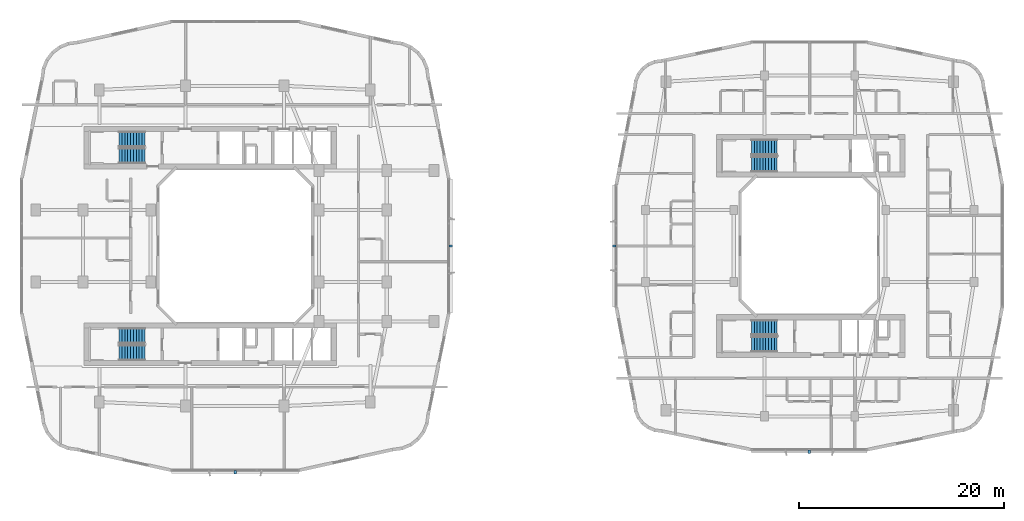
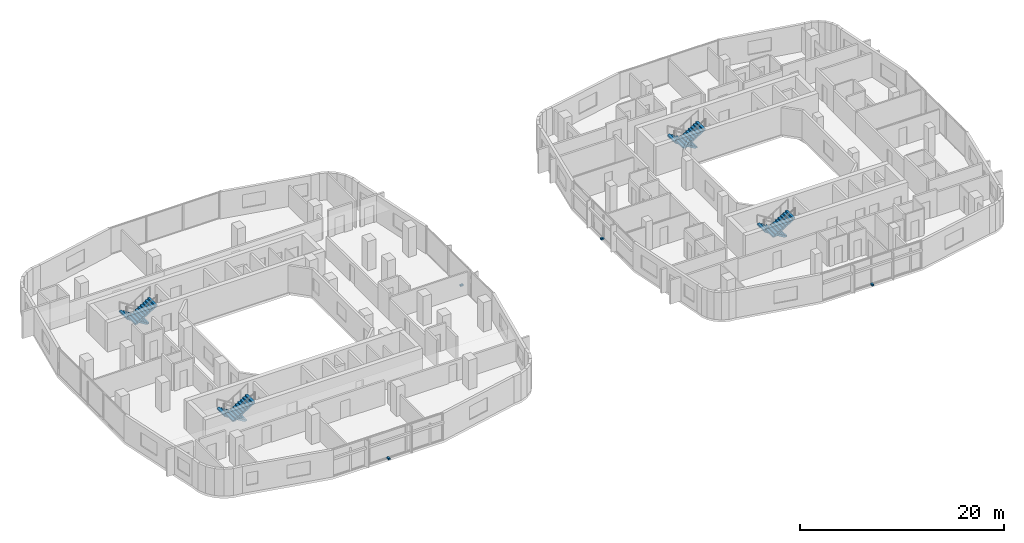
# One storey, part 21 of 26: 8 stair flights, 4 discrete accessories, 4 elements without a shape of their own.
"""IFC4 building model written with IfcOpenShell, lengths in metres."""

from ifc_helpers import new_model, si_unit, derived_unit, direction, frame, origin, origin_2d, place, context, subcontext, project, spatial, polyline, rectangle, outline, extrude, material, type_object, element, aggregate, save


model = new_model("IFC4")

# Units and contexts
model_context = context("Model", 3, precision=1e-05, world=origin(), true_north=direction((0.0, 1.0)))
body_context = subcontext(model_context, "Body", "Model", "MODEL_VIEW")
ifc_project = project(units=[si_unit("LENGTHUNIT", "METRE"), si_unit("AREAUNIT", "SQUARE_METRE"), si_unit("VOLUMEUNIT", "CUBIC_METRE"), si_unit("PLANEANGLEUNIT", "RADIAN"), si_unit("MASSUNIT", "GRAM", prefix="KILO"), derived_unit("THERMALTRANSMITTANCEUNIT", [(si_unit("POWERUNIT", "WATT"), 1), (si_unit("LENGTHUNIT", "METRE"), -2), (si_unit("THERMODYNAMICTEMPERATUREUNIT", "KELVIN"), -1)])], contexts=[model_context])

# Site, building, storey
site_placement = place(None, origin())
site = spatial("IfcSite", under=ifc_project, at=site_placement, CompositionType="ELEMENT")
building_placement = place(site_placement, origin())
building = spatial("IfcBuilding", under=site, at=building_placement, Name="Kivonza Crest Hotel", CompositionType="ELEMENT")
storey_placement = place(building_placement, frame((0.0, 0.0, 66.0)))
storey = spatial("IfcBuildingStorey", under=building, at=storey_placement, Name="L17", CompositionType="ELEMENT", Elevation=66.0)

# Stair, stair flights
ifc_material_1 = material(Name="Concrete C40/50", Category="concrete")
stair_type = type_object("IfcStairType", Name="ST-DL-20R", PredefinedType="HALF_TURN_STAIR", material=ifc_material_1)
stair_1_placement = place(storey_placement, origin())
stair_1 = element("IfcStair", 1, at=stair_1_placement, inside=storey, type_object=stair_type, Name="L17 Protected Exit Stair ST-T1-N", PredefinedType="HALF_TURN_STAIR")
stair_flight_type = type_object("IfcStairFlightType", Name="SFL-RC-10R", PredefinedType="STRAIGHT", material=ifc_material_1)
stair_flight_1_placement = place(storey_placement, frame((12.239990234375, 35.409912109375, 0.0), z_axis=(0.0, 0.0, 1.0), x_axis=(-1.0, 0.0, 0.0)))
stair_flight_1 = element("IfcStairFlight", 2, at=stair_flight_1_placement, type_object=stair_flight_type, Name="ST-T1-N flight 1", NumberOfRisers=10, NumberOfTreads=9, PredefinedType="STRAIGHT", RiserHeight=0.175, TreadLength=0.28, context=body_context, shape_type="SweptSolid", body=[
    extrude(outline(polyline([(0.0, 0.0), (0.0, 0.175048828125), (0.280029296875, 0.175048828125), (0.280029296875, 0.35009765625), (0.56005859375, 0.35009765625), (0.56005859375, 0.52490234375), (0.840087890625, 0.52490234375), (0.840087890625, 0.699951171875), (1.1201171875, 0.699951171875), (1.1201171875, 0.875), (1.39990234375, 0.875), (1.39990234375, 1.050048828125), (1.679931640625, 1.050048828125), (1.679931640625, 1.22509765625), (1.9599609375, 1.22509765625), (1.9599609375, 1.39990234375), (2.239990234375, 1.39990234375), (2.239990234375, 1.574951171875), (2.52001953125, 1.574951171875), (2.52001953125, 1.75), (2.52001953125, 1.398193359375), (0.28271484375, 0.0), (0.0, 0.0)])), frame((0.0, 0.75, 0.0), z_axis=(0.0, -1.0, 0.0), x_axis=(1.0, 0.0, 0.0)), (0.0, 0.0, 1.0), 1.5),
])
stair_flight_2_placement = place(storey_placement, frame((9.719970703125, 33.77001953125, 1.75), z_axis=(0.0, 0.0, 1.0), x_axis=(1.0, 0.0, 0.0)))
stair_flight_2 = element("IfcStairFlight", 3, at=stair_flight_2_placement, type_object=stair_flight_type, Name="ST-T1-N flight 2", NumberOfRisers=10, NumberOfTreads=9, PredefinedType="STRAIGHT", RiserHeight=0.175, TreadLength=0.28, context=body_context, shape_type="SweptSolid", body=[
    extrude(outline(polyline([(0.0, 0.0), (0.0, 0.175048828125), (0.280029296875, 0.175048828125), (0.280029296875, 0.35009765625), (0.56005859375, 0.35009765625), (0.56005859375, 0.52490234375), (0.840087890625, 0.52490234375), (0.840087890625, 0.699951171875), (1.1201171875, 0.699951171875), (1.1201171875, 0.875), (1.39990234375, 0.875), (1.39990234375, 1.050048828125), (1.679931640625, 1.050048828125), (1.679931640625, 1.22509765625), (1.9599609375, 1.22509765625), (1.9599609375, 1.39990234375), (2.239990234375, 1.39990234375), (2.239990234375, 1.574951171875), (2.52001953125, 1.574951171875), (2.52001953125, 1.75), (2.52001953125, 1.398193359375), (0.28271484375, 0.0), (0.0, 0.0)])), frame((0.0, 0.75, 0.0), z_axis=(0.0, -1.0, 0.0), x_axis=(1.0, 0.0, 0.0)), (0.0, 0.0, 1.0), 1.5),
])
aggregate(stair_1, [stair_flight_1, stair_flight_2])

stair_2_placement = place(storey_placement, origin())
stair_2 = element("IfcStair", 4, at=stair_2_placement, inside=storey, type_object=stair_type, Name="L17 Protected Exit Stair ST-T1-S", PredefinedType="HALF_TURN_STAIR")
stair_flight_3_placement = place(storey_placement, frame((12.239990234375, 16.25, 0.0), z_axis=(0.0, 0.0, 1.0), x_axis=(-1.0, 0.0, 0.0)))
stair_flight_3 = element("IfcStairFlight", 5, at=stair_flight_3_placement, type_object=stair_flight_type, Name="ST-T1-S flight 1", NumberOfRisers=10, NumberOfTreads=9, PredefinedType="STRAIGHT", RiserHeight=0.175, TreadLength=0.28, context=body_context, shape_type="SweptSolid", body=[
    extrude(outline(polyline([(0.0, 0.0), (0.0, 0.175048828125), (0.280029296875, 0.175048828125), (0.280029296875, 0.35009765625), (0.56005859375, 0.35009765625), (0.56005859375, 0.52490234375), (0.840087890625, 0.52490234375), (0.840087890625, 0.699951171875), (1.1201171875, 0.699951171875), (1.1201171875, 0.875), (1.39990234375, 0.875), (1.39990234375, 1.050048828125), (1.679931640625, 1.050048828125), (1.679931640625, 1.22509765625), (1.9599609375, 1.22509765625), (1.9599609375, 1.39990234375), (2.239990234375, 1.39990234375), (2.239990234375, 1.574951171875), (2.52001953125, 1.574951171875), (2.52001953125, 1.75), (2.52001953125, 1.398193359375), (0.28271484375, 0.0), (0.0, 0.0)])), frame((0.0, 0.75, 0.0), z_axis=(0.0, -1.0, 0.0), x_axis=(1.0, 0.0, 0.0)), (0.0, 0.0, 1.0), 1.5),
])
stair_flight_4_placement = place(storey_placement, frame((9.719970703125, 14.610107421875, 1.75), z_axis=(0.0, 0.0, 1.0), x_axis=(1.0, 0.0, 0.0)))
stair_flight_4 = element("IfcStairFlight", 6, at=stair_flight_4_placement, type_object=stair_flight_type, Name="ST-T1-S flight 2", NumberOfRisers=10, NumberOfTreads=9, PredefinedType="STRAIGHT", RiserHeight=0.175, TreadLength=0.28, context=body_context, shape_type="SweptSolid", body=[
    extrude(outline(polyline([(0.0, 0.0), (0.0, 0.175048828125), (0.280029296875, 0.175048828125), (0.280029296875, 0.35009765625), (0.56005859375, 0.35009765625), (0.56005859375, 0.52490234375), (0.840087890625, 0.52490234375), (0.840087890625, 0.699951171875), (1.1201171875, 0.699951171875), (1.1201171875, 0.875), (1.39990234375, 0.875), (1.39990234375, 1.050048828125), (1.679931640625, 1.050048828125), (1.679931640625, 1.22509765625), (1.9599609375, 1.22509765625), (1.9599609375, 1.39990234375), (2.239990234375, 1.39990234375), (2.239990234375, 1.574951171875), (2.52001953125, 1.574951171875), (2.52001953125, 1.75), (2.52001953125, 1.398193359375), (0.28271484375, 0.0), (0.0, 0.0)])), frame((0.0, 0.75, 0.0), z_axis=(0.0, -1.0, 0.0), x_axis=(1.0, 0.0, 0.0)), (0.0, 0.0, 1.0), 1.5),
])
aggregate(stair_2, [stair_flight_3, stair_flight_4])

stair_3_placement = place(storey_placement, origin())
stair_3 = element("IfcStair", 7, at=stair_3_placement, inside=storey, type_object=stair_type, Name="L17 Protected Exit Stair ST-T2-N", PredefinedType="HALF_TURN_STAIR")
stair_flight_5_placement = place(storey_placement, frame((73.840087890625, 34.610107421875, 0.0), z_axis=(0.0, 0.0, 1.0), x_axis=(-1.0, 0.0, 0.0)))
stair_flight_5 = element("IfcStairFlight", 8, at=stair_flight_5_placement, type_object=stair_flight_type, Name="ST-T2-N flight 1", NumberOfRisers=10, NumberOfTreads=9, PredefinedType="STRAIGHT", RiserHeight=0.175, TreadLength=0.28, context=body_context, shape_type="SweptSolid", body=[
    extrude(outline(polyline([(0.0, 0.0), (0.0, 0.175048828125), (0.280029296875, 0.175048828125), (0.280029296875, 0.35009765625), (0.56005859375, 0.35009765625), (0.56005859375, 0.52490234375), (0.840087890625, 0.52490234375), (0.840087890625, 0.699951171875), (1.1201171875, 0.699951171875), (1.1201171875, 0.875), (1.39990234375, 0.875), (1.39990234375, 1.050048828125), (1.679931640625, 1.050048828125), (1.679931640625, 1.22509765625), (1.9599609375, 1.22509765625), (1.9599609375, 1.39990234375), (2.239990234375, 1.39990234375), (2.239990234375, 1.574951171875), (2.52001953125, 1.574951171875), (2.52001953125, 1.75), (2.52001953125, 1.398193359375), (0.28271484375, 0.0), (0.0, 0.0)])), frame((0.0, 0.75, 0.0), z_axis=(0.0, -1.0, 0.0), x_axis=(1.0, 0.0, 0.0)), (0.0, 0.0, 1.0), 1.5),
])
stair_flight_6_placement = place(storey_placement, frame((71.320068359375, 32.969970703125, 1.75), z_axis=(0.0, 0.0, 1.0), x_axis=(1.0, 0.0, 0.0)))
stair_flight_6 = element("IfcStairFlight", 9, at=stair_flight_6_placement, type_object=stair_flight_type, Name="ST-T2-N flight 2", NumberOfRisers=10, NumberOfTreads=9, PredefinedType="STRAIGHT", RiserHeight=0.175, TreadLength=0.28, context=body_context, shape_type="SweptSolid", body=[
    extrude(outline(polyline([(0.0, 0.0), (0.0, 0.175048828125), (0.280029296875, 0.175048828125), (0.280029296875, 0.35009765625), (0.56005859375, 0.35009765625), (0.56005859375, 0.52490234375), (0.840087890625, 0.52490234375), (0.840087890625, 0.699951171875), (1.1201171875, 0.699951171875), (1.1201171875, 0.875), (1.39990234375, 0.875), (1.39990234375, 1.050048828125), (1.679931640625, 1.050048828125), (1.679931640625, 1.22509765625), (1.9599609375, 1.22509765625), (1.9599609375, 1.39990234375), (2.239990234375, 1.39990234375), (2.239990234375, 1.574951171875), (2.52001953125, 1.574951171875), (2.52001953125, 1.75), (2.52001953125, 1.398193359375), (0.28271484375, 0.0), (0.0, 0.0)])), frame((0.0, 0.75, 0.0), z_axis=(0.0, -1.0, 0.0), x_axis=(1.0, 0.0, 0.0)), (0.0, 0.0, 1.0), 1.5),
])
aggregate(stair_3, [stair_flight_5, stair_flight_6])

stair_4_placement = place(storey_placement, origin())
stair_4 = element("IfcStair", 10, at=stair_4_placement, inside=storey, type_object=stair_type, Name="L17 Protected Exit Stair ST-T2-S", PredefinedType="HALF_TURN_STAIR")
stair_flight_7_placement = place(storey_placement, frame((73.840087890625, 17.050048828125, 0.0), z_axis=(0.0, 0.0, 1.0), x_axis=(-1.0, 0.0, 0.0)))
stair_flight_7 = element("IfcStairFlight", 11, at=stair_flight_7_placement, type_object=stair_flight_type, Name="ST-T2-S flight 1", NumberOfRisers=10, NumberOfTreads=9, PredefinedType="STRAIGHT", RiserHeight=0.175, TreadLength=0.28, context=body_context, shape_type="SweptSolid", body=[
    extrude(outline(polyline([(0.0, 0.0), (0.0, 0.175048828125), (0.280029296875, 0.175048828125), (0.280029296875, 0.35009765625), (0.56005859375, 0.35009765625), (0.56005859375, 0.52490234375), (0.840087890625, 0.52490234375), (0.840087890625, 0.699951171875), (1.1201171875, 0.699951171875), (1.1201171875, 0.875), (1.39990234375, 0.875), (1.39990234375, 1.050048828125), (1.679931640625, 1.050048828125), (1.679931640625, 1.22509765625), (1.9599609375, 1.22509765625), (1.9599609375, 1.39990234375), (2.239990234375, 1.39990234375), (2.239990234375, 1.574951171875), (2.52001953125, 1.574951171875), (2.52001953125, 1.75), (2.52001953125, 1.398193359375), (0.28271484375, 0.0), (0.0, 0.0)])), frame((0.0, 0.75, 0.0), z_axis=(0.0, -1.0, 0.0), x_axis=(1.0, 0.0, 0.0)), (0.0, 0.0, 1.0), 1.5),
])
stair_flight_8_placement = place(storey_placement, frame((71.320068359375, 15.409912109375, 1.75), z_axis=(0.0, 0.0, 1.0), x_axis=(1.0, 0.0, 0.0)))
stair_flight_8 = element("IfcStairFlight", 12, at=stair_flight_8_placement, type_object=stair_flight_type, Name="ST-T2-S flight 2", NumberOfRisers=10, NumberOfTreads=9, PredefinedType="STRAIGHT", RiserHeight=0.175, TreadLength=0.28, context=body_context, shape_type="SweptSolid", body=[
    extrude(outline(polyline([(0.0, 0.0), (0.0, 0.175048828125), (0.280029296875, 0.175048828125), (0.280029296875, 0.35009765625), (0.56005859375, 0.35009765625), (0.56005859375, 0.52490234375), (0.840087890625, 0.52490234375), (0.840087890625, 0.699951171875), (1.1201171875, 0.699951171875), (1.1201171875, 0.875), (1.39990234375, 0.875), (1.39990234375, 1.050048828125), (1.679931640625, 1.050048828125), (1.679931640625, 1.22509765625), (1.9599609375, 1.22509765625), (1.9599609375, 1.39990234375), (2.239990234375, 1.39990234375), (2.239990234375, 1.574951171875), (2.52001953125, 1.574951171875), (2.52001953125, 1.75), (2.52001953125, 1.398193359375), (0.28271484375, 0.0), (0.0, 0.0)])), frame((0.0, 0.75, 0.0), z_axis=(0.0, -1.0, 0.0), x_axis=(1.0, 0.0, 0.0)), (0.0, 0.0, 1.0), 1.5),
])
aggregate(stair_4, [stair_flight_7, stair_flight_8])

# Discrete accessories
ifc_material_2 = material(Name="Stainless steel 316", Category="steel")
discrete_accessory_type = type_object("IfcDiscreteAccessoryType", Name="AC-BRACKET-240", PredefinedType="BRACKET", material=ifc_material_2)
for number, where, z_axis, x_axis, name in (
    (13, (21.0400390625, 2.9599609375, -0.009765625), (0.0, 0.0, 1.0), (1.0, 0.0, 0.0), "L17 terracotta baguette support bracket CW-T1-L17-08"),
    (14, (42.0400390625, 25.0, -0.009765625), (0.0, 0.0, 1.0), (0.0, 1.0, 0.0), "L17 terracotta baguette support bracket CW-T1-L17-17"),
    (15, (76.9599609375, 4.9599609375, -0.009765625), (0.0, 0.0, 1.0), (1.0, 0.0, 0.0), "L17 terracotta baguette support bracket CW-T2-L17-08"),
    (16, (57.9599609375, 25.0, -0.009765625), (0.0, 0.0, 1.0), (0.0, -1.0, 0.0), "L17 terracotta baguette support bracket CW-T2-L17-35"),
):
    element("IfcDiscreteAccessory", number, at=place(storey_placement, frame(where, z_axis=z_axis, x_axis=x_axis)), inside=storey, type_object=discrete_accessory_type, Name=name, PredefinedType="BRACKET", context=body_context, shape_type="SweptSolid", body=[
        extrude(rectangle(XDim=0.219970703125, YDim=0.340087890625, at=origin_2d()), origin(), (0.0, 0.0, 1.0), 0.179931640625),
    ])

save(model, "model.ifc")
